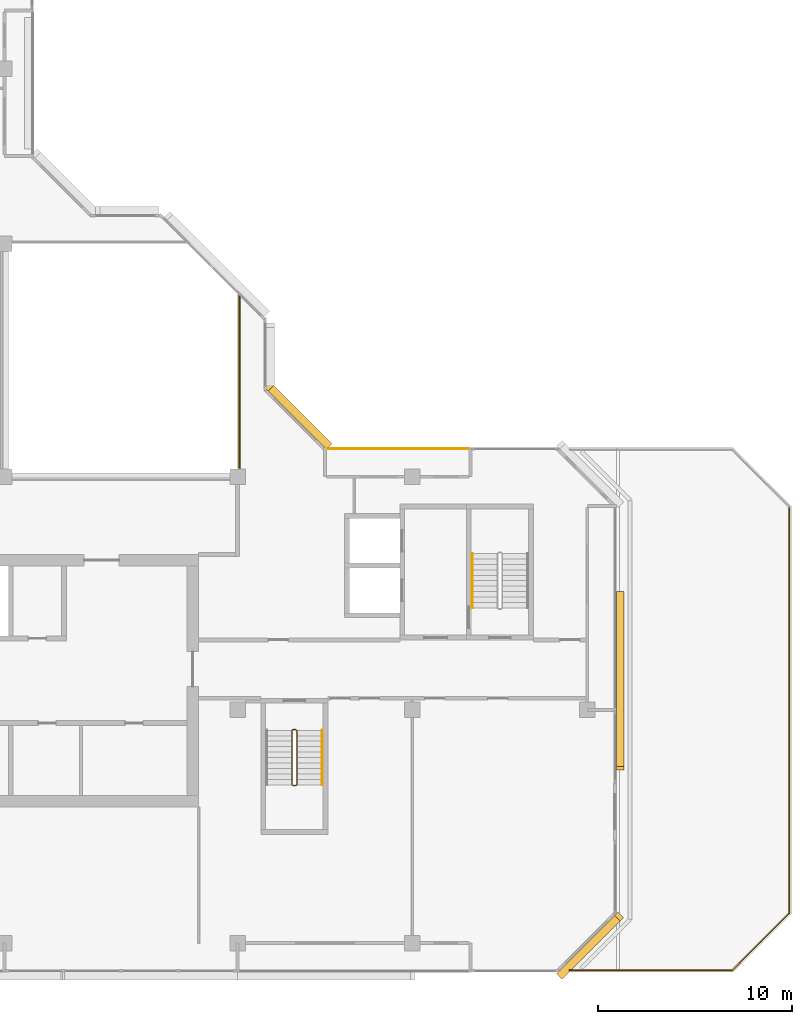
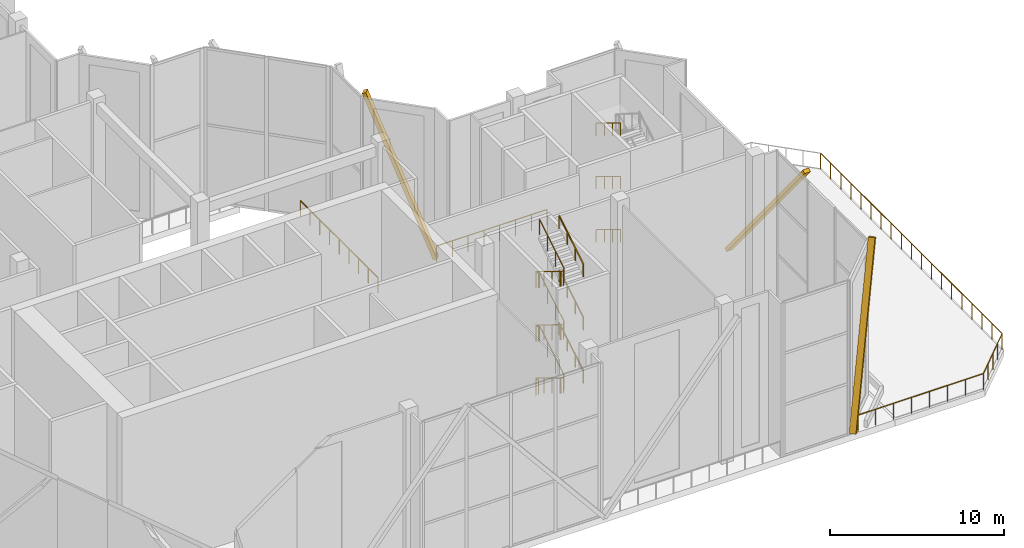
# One storey, part 14 of 16: 10 railings, 3 coverings.
"""IFC4 building model written with IfcOpenShell, lengths in metres."""

from ifc_helpers import new_model, si_unit, direction, frame, origin, origin_2d, place, context, subcontext, project, spatial, rectangle, extrude, material, material_profile, profile_set, type_object, element, save


model = new_model("IFC4")

# Units and contexts
model_context = context("Model", 3, precision=1e-05, world=origin(), true_north=direction((0.0, 1.0)))
body_context = subcontext(model_context, "Body", "Model", "MODEL_VIEW")
ifc_project = project(units=[si_unit("LENGTHUNIT", "METRE"), si_unit("AREAUNIT", "SQUARE_METRE"), si_unit("VOLUMEUNIT", "CUBIC_METRE"), si_unit("PLANEANGLEUNIT", "RADIAN"), si_unit("MASSUNIT", "GRAM", prefix="KILO")], contexts=[model_context])

# Site, building, storey
site_placement = place(None, origin())
site = spatial("IfcSite", under=ifc_project, at=site_placement, CompositionType="ELEMENT")
building_placement = place(site_placement, origin())
building = spatial("IfcBuilding", under=site, at=building_placement, Name="Chenar Terraces", CompositionType="ELEMENT")
storey_placement = place(building_placement, frame((0.0, 0.0, 327.64990234375)))
storey = spatial("IfcBuildingStorey", under=building, at=storey_placement, Name="L77", CompositionType="ELEMENT", Elevation=327.64990234375)

# Railings
ifc_material_1 = material(Name="Powder-coated steel", Category="steel")
railing_type_1 = type_object("IfcRailingType", Name="Guard 1100 steel rail with glass infill", PredefinedType="GUARDRAIL", material=ifc_material_1)
railing_1_placement = place(storey_placement, frame((36.10009765625, 24.449951171875, 0.0)))
element("IfcRailing", 1, at=railing_1_placement, inside=storey, type_object=railing_type_1, Name="Guard L77-3", PredefinedType="GUARDRAIL", context=body_context, shape_type="SweptSolid", body=[
    extrude(rectangle(XDim=0.06005859375, YDim=0.06005859375, at=origin_2d()), frame((0.0, 0.0, 1.070068359375), z_axis=(0.0, 1.0, 0.0), x_axis=(-1.0, 0.0, 0.0)), (0.0, 0.0, 1.0), 8.949951171875),
    extrude(rectangle(XDim=0.050048828125, YDim=0.050048828125, at=origin_2d()), origin(), (0.0, 0.0, 1.0), 1.0400390625),
    extrude(rectangle(XDim=0.050048828125, YDim=0.050048828125, at=origin_2d()), frame((0.0, 1.11865234375, 0.0)), (0.0, 0.0, 1.0), 1.0400390625),
    extrude(rectangle(XDim=0.050048828125, YDim=0.050048828125, at=origin_2d()), frame((0.0, 2.237548828125, 0.0)), (0.0, 0.0, 1.0), 1.0400390625),
    extrude(rectangle(XDim=0.050048828125, YDim=0.050048828125, at=origin_2d()), frame((0.0, 3.356201171875, 0.0)), (0.0, 0.0, 1.0), 1.0400390625),
    extrude(rectangle(XDim=0.050048828125, YDim=0.050048828125, at=origin_2d()), frame((0.0, 4.47509765625, 0.0)), (0.0, 0.0, 1.0), 1.0400390625),
    extrude(rectangle(XDim=0.050048828125, YDim=0.050048828125, at=origin_2d()), frame((0.0, 5.59375, 0.0)), (0.0, 0.0, 1.0), 1.0400390625),
    extrude(rectangle(XDim=0.050048828125, YDim=0.050048828125, at=origin_2d()), frame((0.0, 6.71240234375, 0.0)), (0.0, 0.0, 1.0), 1.0400390625),
    extrude(rectangle(XDim=0.050048828125, YDim=0.050048828125, at=origin_2d()), frame((0.0, 7.831298828125, 0.0)), (0.0, 0.0, 1.0), 1.0400390625),
    extrude(rectangle(XDim=0.050048828125, YDim=0.050048828125, at=origin_2d()), frame((0.0, 8.949951171875, 0.0)), (0.0, 0.0, 1.0), 1.0400390625),
])
ifc_material_2 = material(Name="Stainless steel and glass", Category="steel")
railing_type_2 = type_object("IfcRailingType", Name="Loggia guard 1150", PredefinedType="GUARDRAIL", material=ifc_material_2)
railing_2_placement = place(storey_placement, frame((47.925048828125, 25.449951171875, 0.0)))
element("IfcRailing", 2, at=railing_2_placement, inside=storey, type_object=railing_type_2, Name="Loggia guard", PredefinedType="GUARDRAIL", context=body_context, shape_type="SweptSolid", body=[
    extrude(rectangle(XDim=0.048095703125, YDim=0.048095703125, at=origin_2d()), frame((0.0, 0.0, 1.1259765625), z_axis=(-1.0, 0.0, 0.0), x_axis=(0.0, -1.0, 0.0)), (0.0, 0.0, 1.0), 7.35009765625),
    extrude(rectangle(XDim=0.0419921875, YDim=0.0419921875, at=origin_2d()), origin(), (0.0, 0.0, 1.0), 1.101806640625),
    extrude(rectangle(XDim=0.0419921875, YDim=0.0419921875, at=origin_2d()), frame((-1.050048828125, 0.0, 0.0)), (0.0, 0.0, 1.0), 1.101806640625),
    extrude(rectangle(XDim=0.0419921875, YDim=0.0419921875, at=origin_2d()), frame((-2.10009765625, 0.0, 0.0)), (0.0, 0.0, 1.0), 1.101806640625),
    extrude(rectangle(XDim=0.0419921875, YDim=0.0419921875, at=origin_2d()), frame((-3.150146484375, 0.0, 0.0)), (0.0, 0.0, 1.0), 1.101806640625),
    extrude(rectangle(XDim=0.0419921875, YDim=0.0419921875, at=origin_2d()), frame((-4.199951171875, 0.0, 0.0)), (0.0, 0.0, 1.0), 1.101806640625),
    extrude(rectangle(XDim=0.0419921875, YDim=0.0419921875, at=origin_2d()), frame((-5.25, 0.0, 0.0)), (0.0, 0.0, 1.0), 1.101806640625),
    extrude(rectangle(XDim=0.0419921875, YDim=0.0419921875, at=origin_2d()), frame((-6.300048828125, 0.0, 0.0)), (0.0, 0.0, 1.0), 1.101806640625),
    extrude(rectangle(XDim=0.0419921875, YDim=0.0419921875, at=origin_2d()), frame((-7.35009765625, 0.0, 0.0)), (0.0, 0.0, 1.0), 1.101806640625),
])
ifc_material_3 = material(Name="Powder-coated steel", Category="steel")
railing_type_3 = type_object("IfcRailingType", Name="Stair guard 1100", PredefinedType="GUARDRAIL", material=ifc_material_3)
railing_3_placement = place(storey_placement, frame((39.050048828125, 10.949951171875, 11.25)))
element("IfcRailing", 3, at=railing_3_placement, inside=storey, type_object=railing_type_3, Name="L77 ST2 stair guard 1", PredefinedType="GUARDRAIL", context=body_context, shape_type="SweptSolid", body=[
    extrude(rectangle(XDim=0.048095703125, YDim=0.048095703125, at=origin_2d()), frame((0.0, 0.0, 1.076171875), z_axis=(0.0, -0.854202870247, -0.519939858505), x_axis=(1.0, 0.0, 0.0)), (0.0, 0.0, 1.0), 3.278076171875),
    extrude(rectangle(XDim=0.048095703125, YDim=0.048095703125, at=origin_2d()), frame((0.0, -2.800048828125, -0.62841796875), z_axis=(-0.270996696079, -0.269674760976, -0.924032636873), x_axis=(0.705375805398, -0.708833529934, 0.0)), (0.0, 0.0, 1.0), 0.1845703125),
    extrude(rectangle(XDim=0.048095703125, YDim=0.048095703125, at=origin_2d()), frame((-0.050048828125, -2.849853515625, -0.798828125), z_axis=(-1.0, 0.0, 0.0), x_axis=(0.0, -1.0, 0.0)), (0.0, 0.0, 1.0), 0.14990234375),
    extrude(rectangle(XDim=0.048095703125, YDim=0.048095703125, at=origin_2d()), frame((-0.199951171875, -2.849853515625, -0.798828125), z_axis=(-0.708833529934, 0.705375805398, 0.0), x_axis=(-0.705375805398, -0.708833529934, 0.0)), (0.0, 0.0, 1.0), 0.070556640625),
    extrude(rectangle(XDim=0.048095703125, YDim=0.048095703125, at=origin_2d()), frame((-0.25, -2.800048828125, -0.798828125), z_axis=(0.0, 0.854202870247, -0.519939858505), x_axis=(-1.0, 0.0, 0.0)), (0.0, 0.0, 1.0), 3.278076171875),
    extrude(rectangle(XDim=0.048095703125, YDim=0.048095703125, at=origin_2d()), frame((-0.25, 0.0, -2.50341796875), z_axis=(0.747209590826, 0.187030483662, -0.637728332097), x_axis=(-0.242814311512, 0.970072785993, 0.0)), (0.0, 0.0, 1.0), 0.267578125),
    extrude(rectangle(XDim=0.048095703125, YDim=0.048095703125, at=origin_2d()), frame((-0.050048828125, 0.050048828125, -2.673828125), z_axis=(-1.0, 0.0, 0.0), x_axis=(0.0, -1.0, 0.0)), (0.0, 0.0, 1.0), 0.14990234375),
    extrude(rectangle(XDim=0.048095703125, YDim=0.048095703125, at=origin_2d()), frame((-0.199951171875, 0.050048828125, -2.673828125), z_axis=(0.970072785993, -0.242814311512, 0.0), x_axis=(0.242814311512, 0.970072785993, 0.0)), (0.0, 0.0, 1.0), 0.2060546875),
    extrude(rectangle(XDim=0.048095703125, YDim=0.048095703125, at=origin_2d()), frame((0.0, 0.0, -2.673828125), z_axis=(0.0, -0.854202870247, -0.519939858505), x_axis=(1.0, 0.0, 0.0)), (0.0, 0.0, 1.0), 3.278076171875),
    extrude(rectangle(XDim=0.048095703125, YDim=0.048095703125, at=origin_2d()), frame((0.0, -2.800048828125, -4.37841796875), z_axis=(-0.270996696079, -0.269674760976, -0.924032636873), x_axis=(0.705375805398, -0.708833529934, 0.0)), (0.0, 0.0, 1.0), 0.1845703125),
    extrude(rectangle(XDim=0.048095703125, YDim=0.048095703125, at=origin_2d()), frame((-0.050048828125, -2.849853515625, -4.548828125), z_axis=(-1.0, 0.0, 0.0), x_axis=(0.0, -1.0, 0.0)), (0.0, 0.0, 1.0), 0.14990234375),
    extrude(rectangle(XDim=0.048095703125, YDim=0.048095703125, at=origin_2d()), frame((-0.199951171875, -2.849853515625, -4.548828125), z_axis=(-0.708833529934, 0.705375805398, 0.0), x_axis=(-0.705375805398, -0.708833529934, 0.0)), (0.0, 0.0, 1.0), 0.070556640625),
    extrude(rectangle(XDim=0.048095703125, YDim=0.048095703125, at=origin_2d()), frame((-0.25, -2.800048828125, -4.548828125), z_axis=(0.0, 0.854202870247, -0.519939858505), x_axis=(-1.0, 0.0, 0.0)), (0.0, 0.0, 1.0), 3.278076171875),
    extrude(rectangle(XDim=0.048095703125, YDim=0.048095703125, at=origin_2d()), frame((-0.25, 0.0, -6.25341796875), z_axis=(0.747209590826, 0.187030483662, -0.637728332097), x_axis=(-0.242814311512, 0.970072785993, 0.0)), (0.0, 0.0, 1.0), 0.267578125),
    extrude(rectangle(XDim=0.048095703125, YDim=0.048095703125, at=origin_2d()), frame((-0.050048828125, 0.050048828125, -6.423828125), z_axis=(-1.0, 0.0, 0.0), x_axis=(0.0, -1.0, 0.0)), (0.0, 0.0, 1.0), 0.14990234375),
    extrude(rectangle(XDim=0.048095703125, YDim=0.048095703125, at=origin_2d()), frame((-0.199951171875, 0.050048828125, -6.423828125), z_axis=(0.970072785993, -0.242814311512, 0.0), x_axis=(0.242814311512, 0.970072785993, 0.0)), (0.0, 0.0, 1.0), 0.2060546875),
    extrude(rectangle(XDim=0.048095703125, YDim=0.048095703125, at=origin_2d()), frame((0.0, 0.0, -6.423828125), z_axis=(0.0, -0.854202870247, -0.519939858505), x_axis=(1.0, 0.0, 0.0)), (0.0, 0.0, 1.0), 3.278076171875),
    extrude(rectangle(XDim=0.048095703125, YDim=0.048095703125, at=origin_2d()), frame((0.0, -2.800048828125, -8.12841796875), z_axis=(-0.270996696079, -0.269674760976, -0.924032636873), x_axis=(0.705375805398, -0.708833529934, 0.0)), (0.0, 0.0, 1.0), 0.1845703125),
    extrude(rectangle(XDim=0.048095703125, YDim=0.048095703125, at=origin_2d()), frame((-0.050048828125, -2.849853515625, -8.298828125), z_axis=(-1.0, 0.0, 0.0), x_axis=(0.0, -1.0, 0.0)), (0.0, 0.0, 1.0), 0.14990234375),
    extrude(rectangle(XDim=0.048095703125, YDim=0.048095703125, at=origin_2d()), frame((-0.199951171875, -2.849853515625, -8.298828125), z_axis=(-0.708833529934, 0.705375805398, 0.0), x_axis=(-0.705375805398, -0.708833529934, 0.0)), (0.0, 0.0, 1.0), 0.070556640625),
    extrude(rectangle(XDim=0.048095703125, YDim=0.048095703125, at=origin_2d()), frame((-0.25, -2.800048828125, -8.298828125), z_axis=(0.0, 0.854202870247, -0.519939858505), x_axis=(-1.0, 0.0, 0.0)), (0.0, 0.0, 1.0), 3.278076171875),
    extrude(rectangle(XDim=0.048095703125, YDim=0.048095703125, at=origin_2d()), frame((-0.25, 0.0, -10.00341796875), z_axis=(0.270899902878, 0.270899902878, -0.923702595667), x_axis=(-0.707106781187, 0.707106781187, 0.0)), (0.0, 0.0, 1.0), 0.184814453125),
    extrude(rectangle(XDim=0.048095703125, YDim=0.048095703125, at=origin_2d()), frame((-0.199951171875, 0.050048828125, -10.173828125), z_axis=(1.0, 0.0, 0.0), x_axis=(0.0, 1.0, 0.0)), (0.0, 0.0, 1.0), 0.14990234375),
    extrude(rectangle(XDim=0.0419921875, YDim=0.0419921875, at=origin_2d()), origin(), (0.0, 0.0, 1.0), 1.052001953125),
    extrude(rectangle(XDim=0.0419921875, YDim=0.0419921875, at=origin_2d()), frame((0.0, -0.933349609375, -0.568115234375)), (0.0, 0.0, 1.0), 1.052001953125),
    extrude(rectangle(XDim=0.0419921875, YDim=0.0419921875, at=origin_2d()), frame((0.0, -1.86669921875, -1.13623046875)), (0.0, 0.0, 1.0), 1.052001953125),
    extrude(rectangle(XDim=0.0419921875, YDim=0.0419921875, at=origin_2d()), frame((0.0, -2.800048828125, -1.704345703125)), (0.0, 0.0, 1.0), 1.052001953125),
    extrude(rectangle(XDim=0.0419921875, YDim=0.0419921875, at=origin_2d()), frame((-0.050048828125, -2.849853515625, -1.875)), (0.0, 0.0, 1.0), 1.052001953125),
    extrude(rectangle(XDim=0.0419921875, YDim=0.0419921875, at=origin_2d()), frame((-0.199951171875, -2.849853515625, -1.875)), (0.0, 0.0, 1.0), 1.052001953125),
    extrude(rectangle(XDim=0.0419921875, YDim=0.0419921875, at=origin_2d()), frame((-0.25, -2.800048828125, -1.875)), (0.0, 0.0, 1.0), 1.052001953125),
    extrude(rectangle(XDim=0.0419921875, YDim=0.0419921875, at=origin_2d()), frame((-0.25, -1.86669921875, -2.443115234375)), (0.0, 0.0, 1.0), 1.052001953125),
    extrude(rectangle(XDim=0.0419921875, YDim=0.0419921875, at=origin_2d()), frame((-0.25, -0.933349609375, -3.01123046875)), (0.0, 0.0, 1.0), 1.052001953125),
    extrude(rectangle(XDim=0.0419921875, YDim=0.0419921875, at=origin_2d()), frame((-0.25, 0.0, -3.579345703125)), (0.0, 0.0, 1.0), 1.052001953125),
    extrude(rectangle(XDim=0.0419921875, YDim=0.0419921875, at=origin_2d()), frame((-0.050048828125, 0.050048828125, -3.75)), (0.0, 0.0, 1.0), 1.052001953125),
    extrude(rectangle(XDim=0.0419921875, YDim=0.0419921875, at=origin_2d()), frame((-0.199951171875, 0.050048828125, -3.75)), (0.0, 0.0, 1.0), 1.052001953125),
    extrude(rectangle(XDim=0.0419921875, YDim=0.0419921875, at=origin_2d()), frame((0.0, 0.0, -3.75)), (0.0, 0.0, 1.0), 1.052001953125),
    extrude(rectangle(XDim=0.0419921875, YDim=0.0419921875, at=origin_2d()), frame((0.0, -0.933349609375, -4.318115234375)), (0.0, 0.0, 1.0), 1.052001953125),
    extrude(rectangle(XDim=0.0419921875, YDim=0.0419921875, at=origin_2d()), frame((0.0, -1.86669921875, -4.88623046875)), (0.0, 0.0, 1.0), 1.052001953125),
    extrude(rectangle(XDim=0.0419921875, YDim=0.0419921875, at=origin_2d()), frame((0.0, -2.800048828125, -5.454345703125)), (0.0, 0.0, 1.0), 1.052001953125),
    extrude(rectangle(XDim=0.0419921875, YDim=0.0419921875, at=origin_2d()), frame((-0.050048828125, -2.849853515625, -5.625)), (0.0, 0.0, 1.0), 1.052001953125),
    extrude(rectangle(XDim=0.0419921875, YDim=0.0419921875, at=origin_2d()), frame((-0.199951171875, -2.849853515625, -5.625)), (0.0, 0.0, 1.0), 1.052001953125),
    extrude(rectangle(XDim=0.0419921875, YDim=0.0419921875, at=origin_2d()), frame((-0.25, -2.800048828125, -5.625)), (0.0, 0.0, 1.0), 1.052001953125),
    extrude(rectangle(XDim=0.0419921875, YDim=0.0419921875, at=origin_2d()), frame((-0.25, -1.86669921875, -6.193115234375)), (0.0, 0.0, 1.0), 1.052001953125),
    extrude(rectangle(XDim=0.0419921875, YDim=0.0419921875, at=origin_2d()), frame((-0.25, -0.933349609375, -6.76123046875)), (0.0, 0.0, 1.0), 1.052001953125),
    extrude(rectangle(XDim=0.0419921875, YDim=0.0419921875, at=origin_2d()), frame((-0.25, 0.0, -7.329345703125)), (0.0, 0.0, 1.0), 1.052001953125),
    extrude(rectangle(XDim=0.0419921875, YDim=0.0419921875, at=origin_2d()), frame((-0.050048828125, 0.050048828125, -7.5)), (0.0, 0.0, 1.0), 1.052001953125),
    extrude(rectangle(XDim=0.0419921875, YDim=0.0419921875, at=origin_2d()), frame((-0.199951171875, 0.050048828125, -7.5)), (0.0, 0.0, 1.0), 1.052001953125),
    extrude(rectangle(XDim=0.0419921875, YDim=0.0419921875, at=origin_2d()), frame((0.0, 0.0, -7.5)), (0.0, 0.0, 1.0), 1.052001953125),
    extrude(rectangle(XDim=0.0419921875, YDim=0.0419921875, at=origin_2d()), frame((0.0, -0.933349609375, -8.068115234375)), (0.0, 0.0, 1.0), 1.052001953125),
    extrude(rectangle(XDim=0.0419921875, YDim=0.0419921875, at=origin_2d()), frame((0.0, -1.86669921875, -8.63623046875)), (0.0, 0.0, 1.0), 1.052001953125),
    extrude(rectangle(XDim=0.0419921875, YDim=0.0419921875, at=origin_2d()), frame((0.0, -2.800048828125, -9.204345703125)), (0.0, 0.0, 1.0), 1.052001953125),
    extrude(rectangle(XDim=0.0419921875, YDim=0.0419921875, at=origin_2d()), frame((-0.050048828125, -2.849853515625, -9.375)), (0.0, 0.0, 1.0), 1.052001953125),
    extrude(rectangle(XDim=0.0419921875, YDim=0.0419921875, at=origin_2d()), frame((-0.199951171875, -2.849853515625, -9.375)), (0.0, 0.0, 1.0), 1.052001953125),
    extrude(rectangle(XDim=0.0419921875, YDim=0.0419921875, at=origin_2d()), frame((-0.25, -2.800048828125, -9.375)), (0.0, 0.0, 1.0), 1.052001953125),
    extrude(rectangle(XDim=0.0419921875, YDim=0.0419921875, at=origin_2d()), frame((-0.25, -1.86669921875, -9.943115234375)), (0.0, 0.0, 1.0), 1.052001953125),
    extrude(rectangle(XDim=0.0419921875, YDim=0.0419921875, at=origin_2d()), frame((-0.25, -0.933349609375, -10.51123046875)), (0.0, 0.0, 1.0), 1.052001953125),
    extrude(rectangle(XDim=0.0419921875, YDim=0.0419921875, at=origin_2d()), frame((-0.25, 0.0, -11.079345703125)), (0.0, 0.0, 1.0), 1.052001953125),
    extrude(rectangle(XDim=0.0419921875, YDim=0.0419921875, at=origin_2d()), frame((-0.199951171875, 0.050048828125, -11.25)), (0.0, 0.0, 1.0), 1.052001953125),
    extrude(rectangle(XDim=0.0419921875, YDim=0.0419921875, at=origin_2d()), frame((-0.050048828125, 0.050048828125, -11.25)), (0.0, 0.0, 1.0), 1.052001953125),
])
ifc_material_4 = material(Name="Powder-coated steel", Category="steel")
railing_type_4 = type_object("IfcRailingType", Name="Stair handrail 900", PredefinedType="HANDRAIL", material=ifc_material_4)
for number, where, name in (
    (4, (40.35009765625, 8.14990234375, 2.045654296875), "L77 ST2 stair handrail 2"),
    (5, (40.35009765625, 8.14990234375, 5.795654296875), "L77 ST2 stair handrail 4"),
    (6, (40.35009765625, 8.14990234375, 9.545654296875), "L77 ST2 stair handrail 6"),
):
    element("IfcRailing", number, at=place(storey_placement, frame(where)), inside=storey, type_object=railing_type_4, Name=name, PredefinedType="HANDRAIL", context=body_context, shape_type="SweptSolid", body=[
        extrude(rectangle(XDim=0.048095703125, YDim=0.048095703125, at=origin_2d()), frame((0.0, 0.0, 0.8759765625), z_axis=(0.0, 0.854202870247, 0.519939858505), x_axis=(-1.0, 0.0, 0.0)), (0.0, 0.0, 1.0), 3.278076171875),
        extrude(rectangle(XDim=0.0419921875, YDim=0.0419921875, at=origin_2d()), origin(), (0.0, 0.0, 1.0), 0.851806640625),
        extrude(rectangle(XDim=0.0419921875, YDim=0.0419921875, at=origin_2d()), frame((0.0, 0.933349609375, 0.568115234375)), (0.0, 0.0, 1.0), 0.851806640625),
        extrude(rectangle(XDim=0.0419921875, YDim=0.0419921875, at=origin_2d()), frame((0.0, 1.86669921875, 1.13623046875)), (0.0, 0.0, 1.0), 0.851806640625),
        extrude(rectangle(XDim=0.0419921875, YDim=0.0419921875, at=origin_2d()), frame((0.0, 2.800048828125, 1.704345703125)), (0.0, 0.0, 1.0), 0.851806640625),
    ])
for number, where, name in (
    (7, (48.074951171875, 20.050048828125, 2.045654296875), "L77 ST3 stair handrail 2"),
    (8, (48.074951171875, 20.050048828125, 5.795654296875), "L77 ST3 stair handrail 4"),
    (9, (48.074951171875, 20.050048828125, 9.545654296875), "L77 ST3 stair handrail 6"),
):
    element("IfcRailing", number, at=place(storey_placement, frame(where)), inside=storey, type_object=railing_type_4, Name=name, PredefinedType="HANDRAIL", context=body_context, shape_type="SweptSolid", body=[
        extrude(rectangle(XDim=0.048095703125, YDim=0.048095703125, at=origin_2d()), frame((0.0, 0.0, 0.8759765625), z_axis=(0.0, -0.854202870247, 0.519939858505), x_axis=(1.0, 0.0, 0.0)), (0.0, 0.0, 1.0), 3.278076171875),
        extrude(rectangle(XDim=0.0419921875, YDim=0.0419921875, at=origin_2d()), origin(), (0.0, 0.0, 1.0), 0.851806640625),
        extrude(rectangle(XDim=0.0419921875, YDim=0.0419921875, at=origin_2d()), frame((0.0, -0.933349609375, 0.568115234375)), (0.0, 0.0, 1.0), 0.851806640625),
        extrude(rectangle(XDim=0.0419921875, YDim=0.0419921875, at=origin_2d()), frame((0.0, -1.86669921875, 1.13623046875)), (0.0, 0.0, 1.0), 0.851806640625),
        extrude(rectangle(XDim=0.0419921875, YDim=0.0419921875, at=origin_2d()), frame((0.0, -2.800048828125, 1.704345703125)), (0.0, 0.0, 1.0), 0.851806640625),
    ])
ifc_material_5 = material(Name="Stainless steel and glass", Category="steel")
railing_type_5 = type_object("IfcRailingType", Name="Terrace guard 1150", PredefinedType="GUARDRAIL", material=ifc_material_5)
railing_4_placement = place(storey_placement, frame((64.39990234375, 22.45849609375, 0.0)))
element("IfcRailing", 10, at=railing_4_placement, inside=storey, type_object=railing_type_5, Name="Terrace guard", PredefinedType="GUARDRAIL", context=body_context, shape_type="SweptSolid", body=[
    extrude(rectangle(XDim=0.048095703125, YDim=0.048095703125, at=origin_2d()), frame((0.0, 0.0, 1.1259765625), z_axis=(0.0, -1.0, 0.0), x_axis=(1.0, 0.0, 0.0)), (0.0, 0.0, 1.0), 20.9169921875),
    extrude(rectangle(XDim=0.048095703125, YDim=0.048095703125, at=origin_2d()), frame((0.0, -20.9169921875, 1.1259765625), z_axis=(-0.707106781187, -0.707106781187, 0.0), x_axis=(0.707106781187, -0.707106781187, 0.0)), (0.0, 0.0, 1.0), 4.15966796875),
    extrude(rectangle(XDim=0.048095703125, YDim=0.048095703125, at=origin_2d()), frame((-2.94140625, -23.8583984375, 1.1259765625), z_axis=(-1.0, 0.0, 0.0), x_axis=(0.0, -1.0, 0.0)), (0.0, 0.0, 1.0), 8.363525390625),
    extrude(rectangle(XDim=0.0419921875, YDim=0.0419921875, at=origin_2d()), origin(), (0.0, 0.0, 1.0), 1.101806640625),
    extrude(rectangle(XDim=0.0419921875, YDim=0.0419921875, at=origin_2d()), frame((0.0, -1.162109375, 0.0)), (0.0, 0.0, 1.0), 1.101806640625),
    extrude(rectangle(XDim=0.0419921875, YDim=0.0419921875, at=origin_2d()), frame((0.0, -2.32421875, 0.0)), (0.0, 0.0, 1.0), 1.101806640625),
    extrude(rectangle(XDim=0.0419921875, YDim=0.0419921875, at=origin_2d()), frame((0.0, -3.486083984375, 0.0)), (0.0, 0.0, 1.0), 1.101806640625),
    extrude(rectangle(XDim=0.0419921875, YDim=0.0419921875, at=origin_2d()), frame((0.0, -4.648193359375, 0.0)), (0.0, 0.0, 1.0), 1.101806640625),
    extrude(rectangle(XDim=0.0419921875, YDim=0.0419921875, at=origin_2d()), frame((0.0, -5.810302734375, 0.0)), (0.0, 0.0, 1.0), 1.101806640625),
    extrude(rectangle(XDim=0.0419921875, YDim=0.0419921875, at=origin_2d()), frame((0.0, -6.972412109375, 0.0)), (0.0, 0.0, 1.0), 1.101806640625),
    extrude(rectangle(XDim=0.0419921875, YDim=0.0419921875, at=origin_2d()), frame((0.0, -8.13427734375, 0.0)), (0.0, 0.0, 1.0), 1.101806640625),
    extrude(rectangle(XDim=0.0419921875, YDim=0.0419921875, at=origin_2d()), frame((0.0, -9.29638671875, 0.0)), (0.0, 0.0, 1.0), 1.101806640625),
    extrude(rectangle(XDim=0.0419921875, YDim=0.0419921875, at=origin_2d()), frame((0.0, -10.45849609375, 0.0)), (0.0, 0.0, 1.0), 1.101806640625),
    extrude(rectangle(XDim=0.0419921875, YDim=0.0419921875, at=origin_2d()), frame((0.0, -11.62060546875, 0.0)), (0.0, 0.0, 1.0), 1.101806640625),
    extrude(rectangle(XDim=0.0419921875, YDim=0.0419921875, at=origin_2d()), frame((0.0, -12.78271484375, 0.0)), (0.0, 0.0, 1.0), 1.101806640625),
    extrude(rectangle(XDim=0.0419921875, YDim=0.0419921875, at=origin_2d()), frame((0.0, -13.944580078125, 0.0)), (0.0, 0.0, 1.0), 1.101806640625),
    extrude(rectangle(XDim=0.0419921875, YDim=0.0419921875, at=origin_2d()), frame((0.0, -15.106689453125, 0.0)), (0.0, 0.0, 1.0), 1.101806640625),
    extrude(rectangle(XDim=0.0419921875, YDim=0.0419921875, at=origin_2d()), frame((0.0, -16.268798828125, 0.0)), (0.0, 0.0, 1.0), 1.101806640625),
    extrude(rectangle(XDim=0.0419921875, YDim=0.0419921875, at=origin_2d()), frame((0.0, -17.430908203125, 0.0)), (0.0, 0.0, 1.0), 1.101806640625),
    extrude(rectangle(XDim=0.0419921875, YDim=0.0419921875, at=origin_2d()), frame((0.0, -18.5927734375, 0.0)), (0.0, 0.0, 1.0), 1.101806640625),
    extrude(rectangle(XDim=0.0419921875, YDim=0.0419921875, at=origin_2d()), frame((0.0, -19.7548828125, 0.0)), (0.0, 0.0, 1.0), 1.101806640625),
    extrude(rectangle(XDim=0.0419921875, YDim=0.0419921875, at=origin_2d()), frame((0.0, -20.9169921875, 0.0)), (0.0, 0.0, 1.0), 1.101806640625),
    extrude(rectangle(XDim=0.0419921875, YDim=0.0419921875, at=origin_2d()), frame((-0.7353515625, -21.65234375, 0.0)), (0.0, 0.0, 1.0), 1.101806640625),
    extrude(rectangle(XDim=0.0419921875, YDim=0.0419921875, at=origin_2d()), frame((-1.470703125, -22.3876953125, 0.0)), (0.0, 0.0, 1.0), 1.101806640625),
    extrude(rectangle(XDim=0.0419921875, YDim=0.0419921875, at=origin_2d()), frame((-2.2060546875, -23.123046875, 0.0)), (0.0, 0.0, 1.0), 1.101806640625),
    extrude(rectangle(XDim=0.0419921875, YDim=0.0419921875, at=origin_2d()), frame((-2.94140625, -23.8583984375, 0.0)), (0.0, 0.0, 1.0), 1.101806640625),
    extrude(rectangle(XDim=0.0419921875, YDim=0.0419921875, at=origin_2d()), frame((-4.13623046875, -23.8583984375, 0.0)), (0.0, 0.0, 1.0), 1.101806640625),
    extrude(rectangle(XDim=0.0419921875, YDim=0.0419921875, at=origin_2d()), frame((-5.3310546875, -23.8583984375, 0.0)), (0.0, 0.0, 1.0), 1.101806640625),
    extrude(rectangle(XDim=0.0419921875, YDim=0.0419921875, at=origin_2d()), frame((-6.52587890625, -23.8583984375, 0.0)), (0.0, 0.0, 1.0), 1.101806640625),
    extrude(rectangle(XDim=0.0419921875, YDim=0.0419921875, at=origin_2d()), frame((-7.720458984375, -23.8583984375, 0.0)), (0.0, 0.0, 1.0), 1.101806640625),
    extrude(rectangle(XDim=0.0419921875, YDim=0.0419921875, at=origin_2d()), frame((-8.915283203125, -23.8583984375, 0.0)), (0.0, 0.0, 1.0), 1.101806640625),
    extrude(rectangle(XDim=0.0419921875, YDim=0.0419921875, at=origin_2d()), frame((-10.110107421875, -23.8583984375, 0.0)), (0.0, 0.0, 1.0), 1.101806640625),
    extrude(rectangle(XDim=0.0419921875, YDim=0.0419921875, at=origin_2d()), frame((-11.304931640625, -23.8583984375, 0.0)), (0.0, 0.0, 1.0), 1.101806640625),
])

# Coverings
ifc_material_6 = material(Name="Terracotta", Category="masonry")
ifc_material_profile = material_profile(ifc_material_6, rectangle(XDim=0.39990234375, YDim=0.25, at=origin_2d()), Name="Terracotta baguette 400 x 250")
ifc_profile_set = profile_set([ifc_material_profile], Name="Terracotta")
covering_type = type_object("IfcCoveringType", Name="Terracotta baguette 400 x 250", PredefinedType="CLADDING", material=ifc_profile_set)
for number, where, z_axis, x_axis, name in (
    (11, (40.641357421875, 25.641357421875, 0.150146484375), (-0.255468212233, 0.255468212233, 0.932454816641), (-0.707106781187, -0.707106781187, 0.0), "Terracotta baguette"),
    (12, (52.641357421875, -1.641357421875, 0.150146484375), (0.255468212233, 0.255468212233, 0.932454816641), (-0.707106781187, 0.707106781187, 0.0), "Terracotta baguette"),
):
    element("IfcCovering", number, at=place(storey_placement, frame(where, z_axis=z_axis, x_axis=x_axis)), inside=storey, type_object=covering_type, Name=name, PredefinedType="CLADDING", context=body_context, shape_type="SweptSolid", body=[
        extrude(rectangle(XDim=0.39990234375, YDim=0.25, at=origin_2d()), origin(), (0.0, 0.0, 1.0), 11.7431640625),
    ])
covering_placement = place(storey_placement, frame((55.699951171875, 9.0, 11.10009765625), z_axis=(0.0, 0.634966765532, -0.772539453148), x_axis=(-1.0, 0.0, 0.0)))
element("IfcCovering", 13, at=covering_placement, inside=storey, type_object=covering_type, Name="Terracotta baguette", PredefinedType="CLADDING", context=body_context, shape_type="SweptSolid", body=[
    extrude(rectangle(XDim=0.39990234375, YDim=0.25, at=origin_2d()), origin(), (0.0, 0.0, 1.0), 14.174072265625),
])

save(model, "model.ifc")
